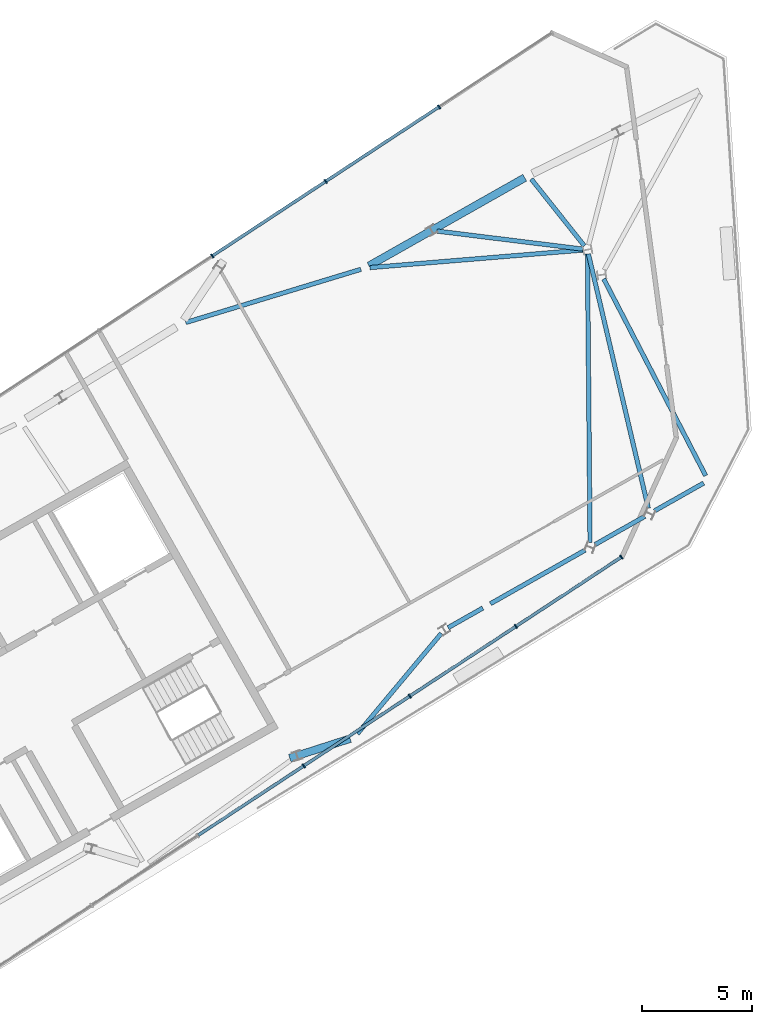
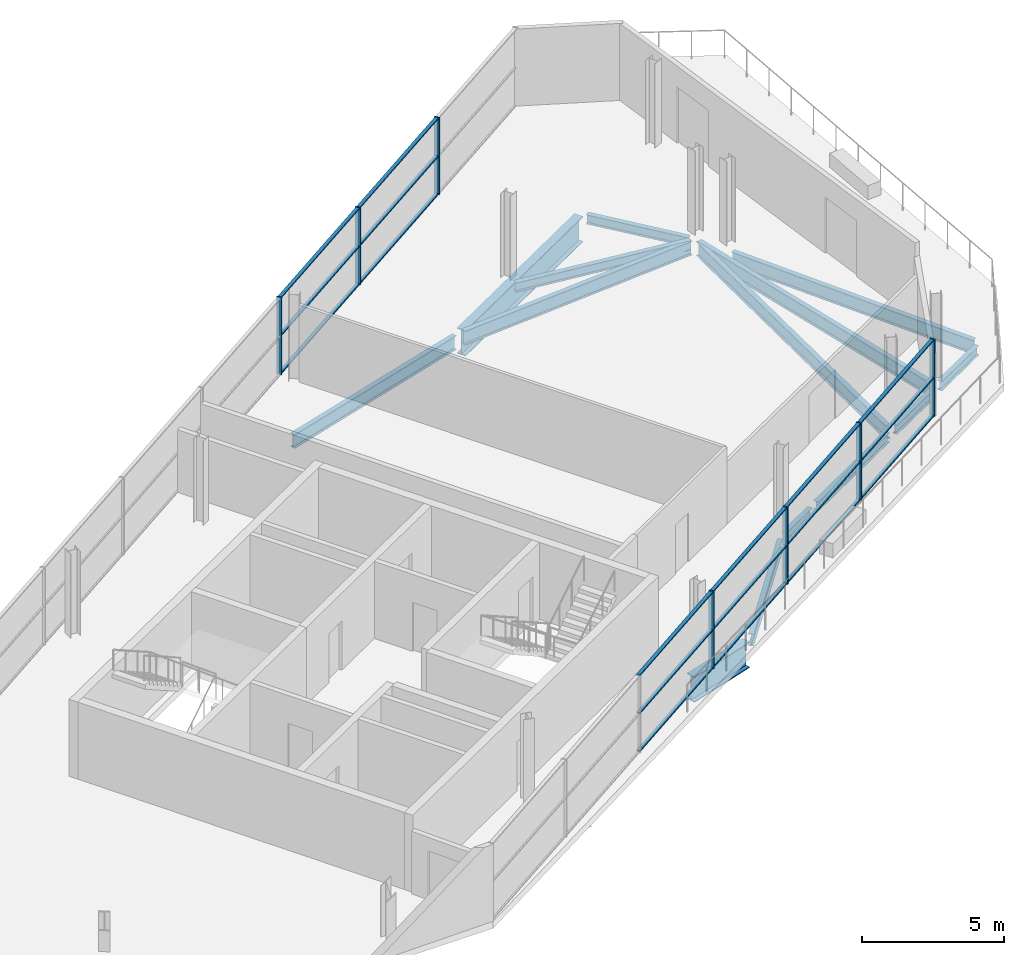
# One storey, part 5 of 10: 25 members, 14 beams, 2 elements without a shape of their own.
"""IFC4 building model written with IfcOpenShell, lengths in metres."""

from ifc_helpers import new_model, si_unit, direction, frame, origin, origin_2d, place, context, subcontext, project, spatial, rectangle, i_section, extrude, material, material_profile, profile_set, type_object, element, aggregate, save


model = new_model("IFC4")

# Units and contexts
model_context = context("Model", 3, precision=1e-05, world=origin(), true_north=direction((0.0, 1.0)))
body_context = subcontext(model_context, "Body", "Model", "MODEL_VIEW")
ifc_project = project(units=[si_unit("LENGTHUNIT", "METRE"), si_unit("AREAUNIT", "SQUARE_METRE"), si_unit("VOLUMEUNIT", "CUBIC_METRE"), si_unit("PLANEANGLEUNIT", "RADIAN"), si_unit("MASSUNIT", "GRAM", prefix="KILO")], contexts=[model_context])

# Site, building, storey
site_placement = place(None, origin())
site = spatial("IfcSite", under=ifc_project, at=site_placement, CompositionType="ELEMENT")
building_placement = place(site_placement, origin())
building = spatial("IfcBuilding", under=site, at=building_placement, Name="Binnacle Exchange Tower", CompositionType="ELEMENT")
storey_placement = place(building_placement, frame((0.0, 0.0, 354.10009765625)))
storey = spatial("IfcBuildingStorey", under=building, at=storey_placement, Name="L81", CompositionType="ELEMENT", Elevation=354.10009765625)

# Curtain wall, members
ifc_material_1 = material(Name="Bronze anodised aluminium frame", Category="aluminium")
curtain_wall_type = type_object("IfcCurtainWallType", Name="External wall - curtain wall crown tiers", PredefinedType="NOTDEFINED", material=ifc_material_1)
curtain_wall_1_placement = place(storey_placement, origin())
curtain_wall_1 = element("IfcCurtainWall", 1, at=curtain_wall_1_placement, inside=storey, type_object=curtain_wall_type, Name="External wall curtain wall CW5-C203 L81", PredefinedType="NOTDEFINED")
ifc_material_profile_1 = material_profile(ifc_material_1, rectangle(XDim=0.199951171875, YDim=0.06005859375, at=origin_2d()), Name="AL 60x200")
ifc_profile_set_1 = profile_set([ifc_material_profile_1], Name="Bronze anodised aluminium frame")
member_type_1 = type_object("IfcMemberType", Name="CW5 MULLION 60x200", PredefinedType="MULLION", material=ifc_profile_set_1)
member_1_placement = place(storey_placement, frame((-17.614501953125, 66.07373046875, 0.0), z_axis=(0.0, 0.0, 1.0), x_axis=(0.549310297171, -0.835618452059, 0.0)))
member_1 = element("IfcMember", 2, at=member_1_placement, type_object=member_type_1, Name="CW5-C203 mullion 2", PredefinedType="MULLION", context=body_context, shape_type="SweptSolid", body=[
    extrude(rectangle(XDim=0.199951171875, YDim=0.06005859375, at=origin_2d()), origin(), (0.0, 0.0, 1.0), 3.2998046875),
])
member_2_placement = place(storey_placement, frame((-22.765625, 62.6875, 0.0), z_axis=(0.0, 0.0, 1.0), x_axis=(0.549310297171, -0.835618452059, 0.0)))
member_2 = element("IfcMember", 3, at=member_2_placement, type_object=member_type_1, Name="CW5-C203 mullion 3", PredefinedType="MULLION", context=body_context, shape_type="SweptSolid", body=[
    extrude(rectangle(XDim=0.199951171875, YDim=0.06005859375, at=origin_2d()), origin(), (0.0, 0.0, 1.0), 3.2998046875),
])
member_3_placement = place(storey_placement, frame((-27.9169921875, 59.30126953125, 0.0), z_axis=(0.0, 0.0, 1.0), x_axis=(0.549310297171, -0.835618452059, 0.0)))
member_3 = element("IfcMember", 4, at=member_3_placement, type_object=member_type_1, Name="CW5-C203 mullion 4", PredefinedType="MULLION", context=body_context, shape_type="SweptSolid", body=[
    extrude(rectangle(XDim=0.199951171875, YDim=0.06005859375, at=origin_2d()), origin(), (0.0, 0.0, 1.0), 3.2998046875),
])

curtain_wall_2_placement = place(storey_placement, origin())
curtain_wall_2 = element("IfcCurtainWall", 5, at=curtain_wall_2_placement, inside=storey, type_object=curtain_wall_type, Name="External wall curtain wall CW5-C207 L81", PredefinedType="NOTDEFINED")
member_4_placement = place(storey_placement, frame((-23.7626953125, 36.14794921875, 0.0), z_axis=(0.0, 0.0, 1.0), x_axis=(-0.549310297171, 0.835618452059, 0.0)))
member_4 = element("IfcMember", 6, at=member_4_placement, type_object=member_type_1, Name="CW5-C207 mullion 4", PredefinedType="MULLION", context=body_context, shape_type="SweptSolid", body=[
    extrude(rectangle(XDim=0.199951171875, YDim=0.06005859375, at=origin_2d()), origin(), (0.0, 0.0, 1.0), 3.2998046875),
])
member_5_placement = place(storey_placement, frame((-18.94677734375, 39.313720703125, 0.0), z_axis=(0.0, 0.0, 1.0), x_axis=(-0.549310297171, 0.835618452059, 0.0)))
member_5 = element("IfcMember", 7, at=member_5_placement, type_object=member_type_1, Name="CW5-C207 mullion 5", PredefinedType="MULLION", context=body_context, shape_type="SweptSolid", body=[
    extrude(rectangle(XDim=0.199951171875, YDim=0.06005859375, at=origin_2d()), origin(), (0.0, 0.0, 1.0), 3.2998046875),
])
member_6_placement = place(storey_placement, frame((-14.130859375, 42.4794921875, 0.0), z_axis=(0.0, 0.0, 1.0), x_axis=(-0.549310297171, 0.835618452059, 0.0)))
member_6 = element("IfcMember", 8, at=member_6_placement, type_object=member_type_1, Name="CW5-C207 mullion 6", PredefinedType="MULLION", context=body_context, shape_type="SweptSolid", body=[
    extrude(rectangle(XDim=0.199951171875, YDim=0.06005859375, at=origin_2d()), origin(), (0.0, 0.0, 1.0), 3.2998046875),
])
member_7_placement = place(storey_placement, frame((-9.340087890625, 45.62890625, 0.0), z_axis=(0.0, 0.0, 1.0), x_axis=(-0.549310297171, 0.835618452059, 0.0)))
member_7 = element("IfcMember", 9, at=member_7_placement, type_object=member_type_1, Name="CW5-C207 mullion 7", PredefinedType="MULLION", context=body_context, shape_type="SweptSolid", body=[
    extrude(rectangle(XDim=0.199951171875, YDim=0.06005859375, at=origin_2d()), origin(), (0.0, 0.0, 1.0), 3.2998046875),
])

# Member
ifc_material_profile_2 = material_profile(ifc_material_1, rectangle(XDim=0.139892578125, YDim=0.050048828125, at=origin_2d()), Name="AL 140x50")
ifc_profile_set_2 = profile_set([ifc_material_profile_2], Name="Bronze anodised aluminium frame")
member_type_2 = type_object("IfcMemberType", Name="CW5 TRANSOM 50x140", PredefinedType="USERDEFINED", material=ifc_profile_set_2)
member_8_placement = place(storey_placement, frame((-17.639404296875, 66.057373046875, 0.02490234375), z_axis=(-0.835619987891, -0.549307960835, 0.0), x_axis=(0.549307960835, -0.835619987891, 0.0)))
member_8 = element("IfcMember", 10, at=member_8_placement, type_object=member_type_2, Name="CW5-C203 transom 2.1", ObjectType="TRANSOM", PredefinedType="USERDEFINED", context=body_context, shape_type="SweptSolid", body=[
    extrude(rectangle(XDim=0.139892578125, YDim=0.050048828125, at=origin_2d()), origin(), (0.0, 0.0, 1.0), 6.1044921875),
])

member_9_placement = place(storey_placement, frame((-17.639404296875, 66.057373046875, 1.64990234375), z_axis=(-0.835619987891, -0.549307960835, 0.0), x_axis=(0.549307960835, -0.835619987891, 0.0)))
member_9 = element("IfcMember", 11, at=member_9_placement, type_object=member_type_2, Name="CW5-C203 transom 2.2", ObjectType="TRANSOM", PredefinedType="USERDEFINED", context=body_context, shape_type="SweptSolid", body=[
    extrude(rectangle(XDim=0.139892578125, YDim=0.050048828125, at=origin_2d()), origin(), (0.0, 0.0, 1.0), 6.1044921875),
])

member_10_placement = place(storey_placement, frame((-17.639404296875, 66.057373046875, 3.27490234375), z_axis=(-0.835619987891, -0.549307960835, 0.0), x_axis=(0.549307960835, -0.835619987891, 0.0)))
member_10 = element("IfcMember", 12, at=member_10_placement, type_object=member_type_2, Name="CW5-C203 transom 2.3", ObjectType="TRANSOM", PredefinedType="USERDEFINED", context=body_context, shape_type="SweptSolid", body=[
    extrude(rectangle(XDim=0.139892578125, YDim=0.050048828125, at=origin_2d()), origin(), (0.0, 0.0, 1.0), 6.1044921875),
])

member_11_placement = place(storey_placement, frame((-22.790771484375, 62.671142578125, 0.02490234375), z_axis=(-0.835619987891, -0.549307960835, 0.0), x_axis=(0.549307960835, -0.835619987891, 0.0)))
member_11 = element("IfcMember", 13, at=member_11_placement, type_object=member_type_2, Name="CW5-C203 transom 3.1", ObjectType="TRANSOM", PredefinedType="USERDEFINED", context=body_context, shape_type="SweptSolid", body=[
    extrude(rectangle(XDim=0.139892578125, YDim=0.050048828125, at=origin_2d()), origin(), (0.0, 0.0, 1.0), 6.1044921875),
])

member_12_placement = place(storey_placement, frame((-22.790771484375, 62.671142578125, 1.64990234375), z_axis=(-0.835619987891, -0.549307960835, 0.0), x_axis=(0.549307960835, -0.835619987891, 0.0)))
member_12 = element("IfcMember", 14, at=member_12_placement, type_object=member_type_2, Name="CW5-C203 transom 3.2", ObjectType="TRANSOM", PredefinedType="USERDEFINED", context=body_context, shape_type="SweptSolid", body=[
    extrude(rectangle(XDim=0.139892578125, YDim=0.050048828125, at=origin_2d()), origin(), (0.0, 0.0, 1.0), 6.1044921875),
])

member_13_placement = place(storey_placement, frame((-22.790771484375, 62.671142578125, 3.27490234375), z_axis=(-0.835619987891, -0.549307960835, 0.0), x_axis=(0.549307960835, -0.835619987891, 0.0)))
member_13 = element("IfcMember", 15, at=member_13_placement, type_object=member_type_2, Name="CW5-C203 transom 3.3", ObjectType="TRANSOM", PredefinedType="USERDEFINED", context=body_context, shape_type="SweptSolid", body=[
    extrude(rectangle(XDim=0.139892578125, YDim=0.050048828125, at=origin_2d()), origin(), (0.0, 0.0, 1.0), 6.1044921875),
])

aggregate(curtain_wall_1, [member_1, member_2, member_3, member_8, member_9, member_10, member_11, member_12, member_13])

member_14_placement = place(storey_placement, frame((-28.553466796875, 32.99853515625, 0.02490234375), z_axis=(0.835628570854, 0.549294904011, 0.0), x_axis=(-0.549294904011, 0.835628570854, 0.0)))
member_14 = element("IfcMember", 16, at=member_14_placement, type_object=member_type_2, Name="CW5-C207 transom 3.1", ObjectType="TRANSOM", PredefinedType="USERDEFINED", context=body_context, shape_type="SweptSolid", body=[
    extrude(rectangle(XDim=0.139892578125, YDim=0.050048828125, at=origin_2d()), origin(), (0.0, 0.0, 1.0), 5.703369140625),
])

member_15_placement = place(storey_placement, frame((-28.553466796875, 32.99853515625, 1.64990234375), z_axis=(0.835628570854, 0.549294904011, 0.0), x_axis=(-0.549294904011, 0.835628570854, 0.0)))
member_15 = element("IfcMember", 17, at=member_15_placement, type_object=member_type_2, Name="CW5-C207 transom 3.2", ObjectType="TRANSOM", PredefinedType="USERDEFINED", context=body_context, shape_type="SweptSolid", body=[
    extrude(rectangle(XDim=0.139892578125, YDim=0.050048828125, at=origin_2d()), origin(), (0.0, 0.0, 1.0), 5.703369140625),
])

member_16_placement = place(storey_placement, frame((-28.553466796875, 32.99853515625, 3.27490234375), z_axis=(0.835628570854, 0.549294904011, 0.0), x_axis=(-0.549294904011, 0.835628570854, 0.0)))
member_16 = element("IfcMember", 18, at=member_16_placement, type_object=member_type_2, Name="CW5-C207 transom 3.3", ObjectType="TRANSOM", PredefinedType="USERDEFINED", context=body_context, shape_type="SweptSolid", body=[
    extrude(rectangle(XDim=0.139892578125, YDim=0.050048828125, at=origin_2d()), origin(), (0.0, 0.0, 1.0), 5.703369140625),
])

member_17_placement = place(storey_placement, frame((-23.737548828125, 36.164306640625, 0.02490234375), z_axis=(0.835628570854, 0.549294904011, 0.0), x_axis=(-0.549294904011, 0.835628570854, 0.0)))
member_17 = element("IfcMember", 19, at=member_17_placement, type_object=member_type_2, Name="CW5-C207 transom 4.1", ObjectType="TRANSOM", PredefinedType="USERDEFINED", context=body_context, shape_type="SweptSolid", body=[
    extrude(rectangle(XDim=0.139892578125, YDim=0.050048828125, at=origin_2d()), origin(), (0.0, 0.0, 1.0), 5.703369140625),
])

member_18_placement = place(storey_placement, frame((-23.737548828125, 36.164306640625, 1.64990234375), z_axis=(0.835628570854, 0.549294904011, 0.0), x_axis=(-0.549294904011, 0.835628570854, 0.0)))
member_18 = element("IfcMember", 20, at=member_18_placement, type_object=member_type_2, Name="CW5-C207 transom 4.2", ObjectType="TRANSOM", PredefinedType="USERDEFINED", context=body_context, shape_type="SweptSolid", body=[
    extrude(rectangle(XDim=0.139892578125, YDim=0.050048828125, at=origin_2d()), origin(), (0.0, 0.0, 1.0), 5.703369140625),
])

member_19_placement = place(storey_placement, frame((-23.737548828125, 36.164306640625, 3.27490234375), z_axis=(0.835628570854, 0.549294904011, 0.0), x_axis=(-0.549294904011, 0.835628570854, 0.0)))
member_19 = element("IfcMember", 21, at=member_19_placement, type_object=member_type_2, Name="CW5-C207 transom 4.3", ObjectType="TRANSOM", PredefinedType="USERDEFINED", context=body_context, shape_type="SweptSolid", body=[
    extrude(rectangle(XDim=0.139892578125, YDim=0.050048828125, at=origin_2d()), origin(), (0.0, 0.0, 1.0), 5.703369140625),
])

member_20_placement = place(storey_placement, frame((-18.921630859375, 39.330078125, 0.02490234375), z_axis=(0.835608922251, 0.549324793773, 0.0), x_axis=(-0.549324793773, 0.835608922251, 0.0)))
member_20 = element("IfcMember", 22, at=member_20_placement, type_object=member_type_2, Name="CW5-C207 transom 5.1", ObjectType="TRANSOM", PredefinedType="USERDEFINED", context=body_context, shape_type="SweptSolid", body=[
    extrude(rectangle(XDim=0.139892578125, YDim=0.050048828125, at=origin_2d()), origin(), (0.0, 0.0, 1.0), 5.703369140625),
])

member_21_placement = place(storey_placement, frame((-18.921630859375, 39.330078125, 1.64990234375), z_axis=(0.835608922251, 0.549324793773, 0.0), x_axis=(-0.549324793773, 0.835608922251, 0.0)))
member_21 = element("IfcMember", 23, at=member_21_placement, type_object=member_type_2, Name="CW5-C207 transom 5.2", ObjectType="TRANSOM", PredefinedType="USERDEFINED", context=body_context, shape_type="SweptSolid", body=[
    extrude(rectangle(XDim=0.139892578125, YDim=0.050048828125, at=origin_2d()), origin(), (0.0, 0.0, 1.0), 5.703369140625),
])

member_22_placement = place(storey_placement, frame((-18.921630859375, 39.330078125, 3.27490234375), z_axis=(0.835608922251, 0.549324793773, 0.0), x_axis=(-0.549324793773, 0.835608922251, 0.0)))
member_22 = element("IfcMember", 24, at=member_22_placement, type_object=member_type_2, Name="CW5-C207 transom 5.3", ObjectType="TRANSOM", PredefinedType="USERDEFINED", context=body_context, shape_type="SweptSolid", body=[
    extrude(rectangle(XDim=0.139892578125, YDim=0.050048828125, at=origin_2d()), origin(), (0.0, 0.0, 1.0), 5.703369140625),
])

member_23_placement = place(storey_placement, frame((-14.105712890625, 42.49609375, 0.02490234375), z_axis=(0.835634370898, 0.549286080448, 0.0), x_axis=(-0.549286080448, 0.835634370898, 0.0)))
member_23 = element("IfcMember", 25, at=member_23_placement, type_object=member_type_2, Name="CW5-C207 transom 6.1", ObjectType="TRANSOM", PredefinedType="USERDEFINED", context=body_context, shape_type="SweptSolid", body=[
    extrude(rectangle(XDim=0.139892578125, YDim=0.050048828125, at=origin_2d()), origin(), (0.0, 0.0, 1.0), 5.673095703125),
])

member_24_placement = place(storey_placement, frame((-14.105712890625, 42.49609375, 1.64990234375), z_axis=(0.835634370898, 0.549286080448, 0.0), x_axis=(-0.549286080448, 0.835634370898, 0.0)))
member_24 = element("IfcMember", 26, at=member_24_placement, type_object=member_type_2, Name="CW5-C207 transom 6.2", ObjectType="TRANSOM", PredefinedType="USERDEFINED", context=body_context, shape_type="SweptSolid", body=[
    extrude(rectangle(XDim=0.139892578125, YDim=0.050048828125, at=origin_2d()), origin(), (0.0, 0.0, 1.0), 5.673095703125),
])

member_25_placement = place(storey_placement, frame((-14.105712890625, 42.49609375, 3.27490234375), z_axis=(0.835634370898, 0.549286080448, 0.0), x_axis=(-0.549286080448, 0.835634370898, 0.0)))
member_25 = element("IfcMember", 27, at=member_25_placement, type_object=member_type_2, Name="CW5-C207 transom 6.3", ObjectType="TRANSOM", PredefinedType="USERDEFINED", context=body_context, shape_type="SweptSolid", body=[
    extrude(rectangle(XDim=0.139892578125, YDim=0.050048828125, at=origin_2d()), origin(), (0.0, 0.0, 1.0), 5.673095703125),
])

aggregate(curtain_wall_2, [member_4, member_5, member_6, member_7, member_14, member_15, member_16, member_17, member_18, member_19, member_20, member_21, member_22, member_23, member_24, member_25])

# Beams
ifc_material_2 = material(Name="Steel S355 (SHN355)", Category="steel")
ifc_material_profile_3 = material_profile(ifc_material_2, i_section(OverallWidth=0.199951171875, OverallDepth=0.39990234375, WebThickness=0.008056640625, FlangeThickness=0.012939453125, FilletRadius=0.01611328125, at=origin_2d()), Name="H 400x200x8x13")
ifc_profile_set_3 = profile_set([ifc_material_profile_3], Name="Steel S355 (SHN355)")
beam_type_1 = type_object("IfcBeamType", Name="Edge girder H 400x200x8x13 Steel S355 (SHN355)", PredefinedType="SPANDREL", material=ifc_profile_set_3)
beam_1_placement = place(storey_placement, frame((-15.631591796875, 43.314453125, -0.5), z_axis=(-0.87030156325, -0.492519227041, 0.0), x_axis=(0.492519227041, -0.87030156325, 0.0)))
element("IfcBeam", 28, at=beam_1_placement, inside=storey, type_object=beam_type_1, Name="S:BM:edge:L81:025", PredefinedType="SPANDREL", context=body_context, shape_type="SweptSolid", body=[
    extrude(i_section(OverallWidth=0.199951171875, OverallDepth=0.39990234375, WebThickness=0.008056640625, FlangeThickness=0.012939453125, FilletRadius=0.01611328125, at=origin_2d()), origin(), (0.0, 0.0, 1.0), 1.810791015625),
])
beam_2_placement = place(storey_placement, frame((-10.983642578125, 45.944091796875, -0.5), z_axis=(-0.87035197646, -0.492430134203, 0.0), x_axis=(0.492430134203, -0.87035197646, 0.0)))
element("IfcBeam", 29, at=beam_2_placement, inside=storey, type_object=beam_type_1, Name="S:BM:edge:L81:026", PredefinedType="SPANDREL", context=body_context, shape_type="SweptSolid", body=[
    extrude(i_section(OverallWidth=0.199951171875, OverallDepth=0.39990234375, WebThickness=0.008056640625, FlangeThickness=0.012939453125, FilletRadius=0.01611328125, at=origin_2d()), origin(), (0.0, 0.0, 1.0), 4.93994140625),
])
beam_3_placement = place(storey_placement, frame((-8.27294921875, 47.477783203125, -0.5), z_axis=(-0.870349468157, -0.49243456751, 0.0), x_axis=(0.49243456751, -0.870349468157, 0.0)))
element("IfcBeam", 30, at=beam_3_placement, inside=storey, type_object=beam_type_1, Name="S:BM:edge:L81:027", PredefinedType="SPANDREL", context=body_context, shape_type="SweptSolid", body=[
    extrude(i_section(OverallWidth=0.199951171875, OverallDepth=0.39990234375, WebThickness=0.008056640625, FlangeThickness=0.012939453125, FilletRadius=0.01611328125, at=origin_2d()), origin(), (0.0, 0.0, 1.0), 2.600830078125),
])
beam_4_placement = place(storey_placement, frame((-5.60546875, 48.98681640625, -0.5), z_axis=(-0.870385887818, -0.492370192323, 0.0), x_axis=(0.492370192323, -0.870385887818, 0.0)))
element("IfcBeam", 31, at=beam_4_placement, inside=storey, type_object=beam_type_1, Name="S:BM:edge:L81:028", PredefinedType="SPANDREL", context=body_context, shape_type="SweptSolid", body=[
    extrude(i_section(OverallWidth=0.199951171875, OverallDepth=0.39990234375, WebThickness=0.008056640625, FlangeThickness=0.012939453125, FilletRadius=0.01611328125, at=origin_2d()), origin(), (0.0, 0.0, 1.0), 2.570556640625),
])
ifc_material_profile_4 = material_profile(ifc_material_2, i_section(OverallWidth=0.199951171875, OverallDepth=0.5, WebThickness=0.010009765625, FlangeThickness=0.01611328125, FilletRadius=0.02001953125, at=origin_2d()), Name="H 500x200x10x16")
ifc_profile_set_4 = profile_set([ifc_material_profile_4], Name="Steel S355 (SHN355)")
beam_type_2 = type_object("IfcBeamType", Name="Edge girder H 500x200x10x16 Steel S355 (SHN355)", PredefinedType="SPANDREL", material=ifc_profile_set_4)
beam_5_placement = place(storey_placement, frame((-17.51611328125, 42.163818359375, -0.550048828125), z_axis=(-0.641223403452, -0.76735425122, 0.0), x_axis=(0.76735425122, -0.641223403452, 0.0)))
element("IfcBeam", 32, at=beam_5_placement, inside=storey, type_object=beam_type_2, Name="S:BM:edge:L81:024", PredefinedType="SPANDREL", context=body_context, shape_type="SweptSolid", body=[
    extrude(i_section(OverallWidth=0.199951171875, OverallDepth=0.5, WebThickness=0.010009765625, FlangeThickness=0.01611328125, FilletRadius=0.02001953125, at=origin_2d()), origin(), (0.0, 0.0, 1.0), 5.9365234375),
])
ifc_material_profile_5 = material_profile(ifc_material_2, i_section(OverallWidth=0.199951171875, OverallDepth=0.39990234375, WebThickness=0.008056640625, FlangeThickness=0.012939453125, FilletRadius=0.01611328125, at=origin_2d()), Name="H 400x200x8x13")
ifc_profile_set_5 = profile_set([ifc_material_profile_5], Name="Steel S355 (SHN355)")
beam_type_3 = type_object("IfcBeamType", Name="Floor beam H 400x200x8x13 Steel S355 (SHN355)", PredefinedType="BEAM", material=ifc_profile_set_5)
beam_6_placement = place(storey_placement, frame((-11.091552734375, 59.61279296875, -0.5), z_axis=(-0.992442022027, 0.122714436454, 0.0), x_axis=(-0.122714436454, -0.992442022027, 0.0)))
element("IfcBeam", 33, at=beam_6_placement, inside=storey, type_object=beam_type_3, Name="S:BM:cross:L81:034", PredefinedType="BEAM", context=body_context, shape_type="SweptSolid", body=[
    extrude(i_section(OverallWidth=0.199951171875, OverallDepth=0.39990234375, WebThickness=0.008056640625, FlangeThickness=0.012939453125, FilletRadius=0.01611328125, at=origin_2d()), origin(), (0.0, 0.0, 1.0), 6.668701171875),
])
ifc_material_profile_6 = material_profile(ifc_material_2, i_section(OverallWidth=0.199951171875, OverallDepth=0.39990234375, WebThickness=0.008056640625, FlangeThickness=0.012939453125, FilletRadius=0.01611328125, at=origin_2d()), Name="H 400x200x8x13")
ifc_profile_set_6 = profile_set([ifc_material_profile_6], Name="Steel S355 (SHN355)")
beam_type_4 = type_object("IfcBeamType", Name="Spine girder H 400x200x8x13 Steel S355 (SHN355)", PredefinedType="BEAM", material=ifc_profile_set_6)
beam_7_placement = place(storey_placement, frame((-13.43017578125, 62.793212890625, -0.5), z_axis=(0.622138077276, -0.782907537838, 0.0), x_axis=(0.782907537838, 0.622138077276, 0.0)))
element("IfcBeam", 34, at=beam_7_placement, inside=storey, type_object=beam_type_4, Name="S:BM:spine:L81:012", PredefinedType="BEAM", context=body_context, shape_type="SweptSolid", body=[
    extrude(i_section(OverallWidth=0.199951171875, OverallDepth=0.39990234375, WebThickness=0.008056640625, FlangeThickness=0.012939453125, FilletRadius=0.01611328125, at=origin_2d()), origin(), (0.0, 0.0, 1.0), 3.870849609375),
])
ifc_material_profile_7 = material_profile(ifc_material_2, i_section(OverallWidth=0.199951171875, OverallDepth=0.60009765625, WebThickness=0.010986328125, FlangeThickness=0.01708984375, FilletRadius=0.02197265625, at=origin_2d()), Name="H 600x200x11x17")
ifc_profile_set_7 = profile_set([ifc_material_profile_7], Name="Steel S355 (SHN355)")
beam_type_5 = type_object("IfcBeamType", Name="Spine girder H 600x200x11x17 Steel S355 (SHN355)", PredefinedType="BEAM", material=ifc_profile_set_7)
beam_8_placement = place(storey_placement, frame((-21.169921875, 58.695068359375, -0.60009765625), z_axis=(-0.956769211399, -0.290848201162, 0.0), x_axis=(0.290848201162, -0.956769211399, 0.0)))
element("IfcBeam", 35, at=beam_8_placement, inside=storey, type_object=beam_type_5, Name="S:BM:spine:L81:010", PredefinedType="BEAM", context=body_context, shape_type="SweptSolid", body=[
    extrude(i_section(OverallWidth=0.199951171875, OverallDepth=0.60009765625, WebThickness=0.010986328125, FlangeThickness=0.01708984375, FilletRadius=0.02197265625, at=origin_2d()), origin(), (0.0, 0.0, 1.0), 8.3076171875),
])
beam_9_placement = place(storey_placement, frame((-20.75439453125, 58.772705078125, -0.60009765625), z_axis=(0.996616529579, 0.082191805981, 0.0), x_axis=(-0.082191805981, 0.996616529579, 0.0)))
element("IfcBeam", 36, at=beam_9_placement, inside=storey, type_object=beam_type_5, Name="S:BM:spine:L81:011", PredefinedType="BEAM", context=body_context, shape_type="SweptSolid", body=[
    extrude(i_section(OverallWidth=0.199951171875, OverallDepth=0.60009765625, WebThickness=0.010986328125, FlangeThickness=0.01708984375, FilletRadius=0.02197265625, at=origin_2d()), origin(), (0.0, 0.0, 1.0), 9.7041015625),
])
beam_10_placement = place(storey_placement, frame((-10.880615234375, 59.38330078125, -0.60009765625), z_axis=(0.009040716184, -0.99995913189, 0.0), x_axis=(0.99995913189, 0.009040716184, 0.0)))
element("IfcBeam", 37, at=beam_10_placement, inside=storey, type_object=beam_type_5, Name="S:BM:spine:L81:013", PredefinedType="BEAM", context=body_context, shape_type="SweptSolid", body=[
    extrude(i_section(OverallWidth=0.199951171875, OverallDepth=0.60009765625, WebThickness=0.010986328125, FlangeThickness=0.01708984375, FilletRadius=0.02197265625, at=origin_2d()), origin(), (0.0, 0.0, 1.0), 13.09716796875),
])
beam_11_placement = place(storey_placement, frame((-10.83642578125, 59.39208984375, -0.60009765625), z_axis=(0.229331840639, -0.973348296793, 0.0), x_axis=(0.973348296793, 0.229331840639, 0.0)))
element("IfcBeam", 38, at=beam_11_placement, inside=storey, type_object=beam_type_5, Name="S:BM:spine:L81:014", PredefinedType="BEAM", context=body_context, shape_type="SweptSolid", body=[
    extrude(i_section(OverallWidth=0.199951171875, OverallDepth=0.60009765625, WebThickness=0.010986328125, FlangeThickness=0.01708984375, FilletRadius=0.02197265625, at=origin_2d()), origin(), (0.0, 0.0, 1.0), 11.862548828125),
])
beam_12_placement = place(storey_placement, frame((-10.138916015625, 58.256591796875, -0.60009765625), z_axis=(0.459997731775, -0.887920090302, 0.0), x_axis=(0.887920090302, 0.459997731775, 0.0)))
element("IfcBeam", 39, at=beam_12_placement, inside=storey, type_object=beam_type_5, Name="S:BM:spine:L81:015", PredefinedType="BEAM", context=body_context, shape_type="SweptSolid", body=[
    extrude(i_section(OverallWidth=0.199951171875, OverallDepth=0.60009765625, WebThickness=0.010986328125, FlangeThickness=0.01708984375, FilletRadius=0.02197265625, at=origin_2d()), origin(), (0.0, 0.0, 1.0), 10.062255859375),
])
ifc_material_3 = material(Name="Steel S355 (SM355)", Category="steel")
ifc_material_profile_8 = material_profile(ifc_material_3, i_section(OverallWidth=0.35009765625, OverallDepth=1.10009765625, WebThickness=0.02001953125, FlangeThickness=0.035888671875, at=origin_2d()), Name="BH 1100x350x20x36")
ifc_profile_set_8 = profile_set([ifc_material_profile_8], Name="Steel S355 (SM355)")
beam_type_6 = type_object("IfcBeamType", Name="Transfer girder BH 1100x350x20x36 Steel S355 (SM355)", PredefinedType="BEAM", material=ifc_profile_set_8)
beam_13_placement = place(storey_placement, frame((-21.654296875, 37.384521484375, -0.85009765625), z_axis=(-0.95175410966, -0.306861719258, 0.0), x_axis=(0.306861719258, -0.95175410966, 0.0)))
element("IfcBeam", 40, at=beam_13_placement, inside=storey, type_object=beam_type_6, Name="S:BM:transfer:L81:006", PredefinedType="BEAM", context=body_context, shape_type="SweptSolid", body=[
    extrude(i_section(OverallWidth=0.35009765625, OverallDepth=1.10009765625, WebThickness=0.02001953125, FlangeThickness=0.035888671875, at=origin_2d()), origin(), (0.0, 0.0, 1.0), 2.882568359375),
])
beam_14_placement = place(storey_placement, frame((-20.7998046875, 58.853271484375, -0.85009765625), z_axis=(0.870364044483, 0.492408803811, 0.0), x_axis=(-0.492408803811, 0.870364044483, 0.0)))
element("IfcBeam", 41, at=beam_14_placement, inside=storey, type_object=beam_type_6, Name="S:BM:transfer:L81:007", PredefinedType="BEAM", context=body_context, shape_type="SweptSolid", body=[
    extrude(i_section(OverallWidth=0.35009765625, OverallDepth=1.10009765625, WebThickness=0.02001953125, FlangeThickness=0.035888671875, at=origin_2d()), origin(), (0.0, 0.0, 1.0), 8.122802734375),
])

save(model, "model.ifc")
